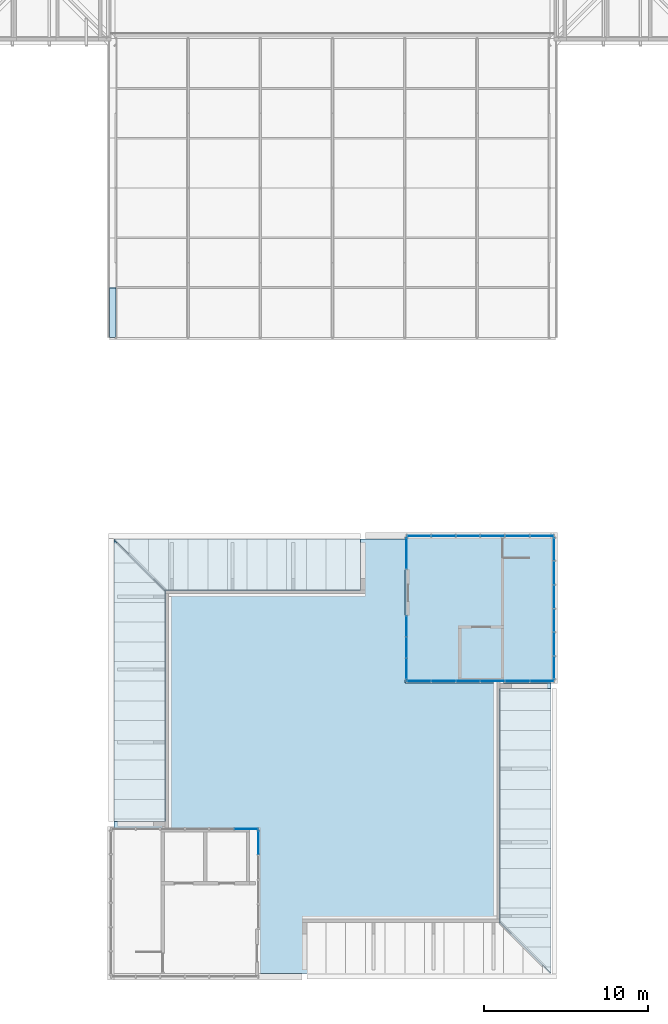
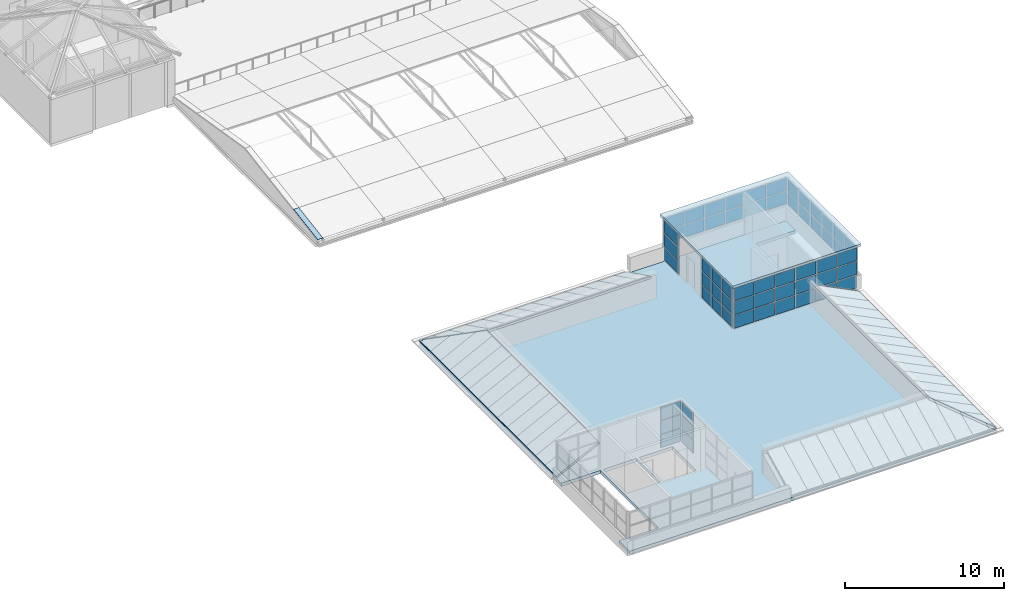
# One storey, part 40 of 69: 61 plates, 5 slabs, 7 elements without a shape of their own.
"""IFC4 building model written with IfcOpenShell, lengths in metres."""

from ifc_helpers import new_model, si_unit, direction, frame, origin, origin_2d, place, context, subcontext, project, spatial, polyline, rectangle, outline, extrude, material, layer, layer_set, type_object, element, aggregate, save


model = new_model("IFC4")

# Units and contexts
model_context = context("Model", 3, precision=1e-05, world=origin(), true_north=direction((0.0, 1.0)))
body_context = subcontext(model_context, "Body", "Model", "MODEL_VIEW")
ifc_project = project(units=[si_unit("LENGTHUNIT", "METRE"), si_unit("AREAUNIT", "SQUARE_METRE"), si_unit("VOLUMEUNIT", "CUBIC_METRE"), si_unit("PLANEANGLEUNIT", "RADIAN"), si_unit("MASSUNIT", "GRAM", prefix="KILO")], contexts=[model_context])

# Site, building, storey
site_placement = place(None, origin())
site = spatial("IfcSite", under=ifc_project, at=site_placement, CompositionType="ELEMENT")
building_placement = place(site_placement, origin())
building = spatial("IfcBuilding", under=site, at=building_placement, Name="Kallimachos Central Library", CompositionType="ELEMENT")
storey_placement = place(building_placement, frame((0.0, 0.0, 23.39990234375)))
storey = spatial("IfcBuildingStorey", under=building, at=storey_placement, Name="L05", CompositionType="ELEMENT", Elevation=23.39990234375)

# Slabs
ifc_material_1 = material(Name="Composite slab C30/37 on steel deck", Category="concrete")
ifc_layer_1 = layer(ifc_material_1, 0.25)
ifc_layer_set_1 = layer_set([ifc_layer_1], Name="Composite roof slab 250")
slab_type_1 = type_object("IfcSlabType", Name="Composite roof slab 250", PredefinedType="ROOF", material=ifc_layer_set_1)
slab_1_placement = place(storey_placement, frame((0.0, 0.0, -0.25)))
element("IfcSlab", 1, at=slab_1_placement, inside=storey, type_object=slab_type_1, Name="Tower roof slab", PredefinedType="ROOF", context=body_context, shape_type="SweptSolid", body=[
    extrude(outline(polyline([(101.300048828125, 18.199951171875), (74.699951171875, 18.199951171875), (74.699951171875, 19.553955078125), (77.550048828125, 19.553955078125), (77.550048828125, 26.800048828125), (74.699951171875, 26.800048828125), (74.699951171875, 44.64990234375), (101.300048828125, 44.64990234375), (101.300048828125, 43.446044921875), (98.449951171875, 43.446044921875), (98.449951171875, 36.199951171875), (101.300048828125, 36.199951171875), (101.300048828125, 18.199951171875)]), holes=[polyline([(77.75, 26.800048828125), (77.75, 23.800048828125), (80.14990234375, 23.800048828125), (80.14990234375, 26.800048828125), (77.75, 26.800048828125)]), polyline([(80.35009765625, 26.800048828125), (80.35009765625, 23.800048828125), (82.75, 23.800048828125), (82.75, 26.800048828125), (80.35009765625, 26.800048828125)]), polyline([(98.25, 39.199951171875), (95.85009765625, 39.199951171875), (95.85009765625, 36.199951171875), (98.25, 36.199951171875), (98.25, 39.199951171875)])]), origin(), (0.0, 0.0, 1.0), 0.25),
])
ifc_material_2 = material(Name="Composite slab C30/37 on steel deck", Category="concrete")
ifc_layer_2 = layer(ifc_material_2, 0.199951171875)
ifc_layer_set_2 = layer_set([ifc_layer_2], Name="Head house roof slab 200")
slab_type_2 = type_object("IfcSlabType", Name="Head house roof slab 200", PredefinedType="ROOF", material=ifc_layer_set_2)
slab_2_placement = place(storey_placement, frame((0.0, 0.0, 3.2001953125)))
element("IfcSlab", 2, at=slab_2_placement, inside=storey, type_object=slab_type_2, Name="North-east lift head roof", PredefinedType="ROOF", context=body_context, shape_type="SweptSolid", body=[
    extrude(outline(polyline([(92.39990234375, 35.89990234375), (101.699951171875, 35.89990234375), (101.699951171875, 45.050048828125), (92.39990234375, 45.050048828125), (92.39990234375, 35.89990234375)])), origin(), (0.0, 0.0, 1.0), 0.199951171875),
])

# Curtain wall, plates
ifc_material_3 = material(Name="Aluminium and laminated glass", Category="aluminium")
curtain_wall_type = type_object("IfcCurtainWallType", Name="Glazed lantern wall", PredefinedType="NOTDEFINED", material=ifc_material_3)
curtain_wall_1_placement = place(storey_placement, origin())
curtain_wall_1 = element("IfcCurtainWall", 3, at=curtain_wall_1_placement, inside=storey, type_object=curtain_wall_type, Name="V5-CWL-L05-003", PredefinedType="NOTDEFINED")
ifc_material_4 = material(Name="Laminated glass", Category="glass")
ifc_layer_3 = layer(ifc_material_4, 0.028076171875)
ifc_layer_set_3 = layer_set([ifc_layer_3], Name="Laminated glass panel 28")
plate_type_1 = type_object("IfcPlateType", Name="Laminated glass panel 28", PredefinedType="CURTAIN_PANEL", material=ifc_layer_set_3)
plate_1_placement = place(storey_placement, frame((82.735107421875, 27.0, 0.06005859375), z_axis=(0.0, 0.0, 1.0), x_axis=(1.0, 0.0, 0.0)))
plate_1 = element("IfcPlate", 4, at=plate_1_placement, type_object=plate_type_1, Name="CW4 panel 6.1", PredefinedType="CURTAIN_PANEL", context=body_context, shape_type="SweptSolid", body=[
    extrude(rectangle(XDim=1.409912109375, YDim=0.028076171875, at=origin_2d()), origin(), (0.0, 0.0, 1.0), 0.976806640625),
])
plate_2_placement = place(storey_placement, frame((82.735107421875, 27.0, 1.0966796875), z_axis=(0.0, 0.0, 1.0), x_axis=(1.0, 0.0, 0.0)))
plate_2 = element("IfcPlate", 5, at=plate_2_placement, type_object=plate_type_1, Name="CW4 panel 6.2", PredefinedType="CURTAIN_PANEL", context=body_context, shape_type="SweptSolid", body=[
    extrude(rectangle(XDim=1.409912109375, YDim=0.028076171875, at=origin_2d()), origin(), (0.0, 0.0, 1.0), 1.006591796875),
])
plate_3_placement = place(storey_placement, frame((82.735107421875, 27.0, 2.16357421875), z_axis=(0.0, 0.0, 1.0), x_axis=(1.0, 0.0, 0.0)))
plate_3 = element("IfcPlate", 6, at=plate_3_placement, type_object=plate_type_1, Name="CW4 panel 6.3", PredefinedType="CURTAIN_PANEL", context=body_context, shape_type="SweptSolid", body=[
    extrude(rectangle(XDim=1.409912109375, YDim=0.028076171875, at=origin_2d()), origin(), (0.0, 0.0, 1.0), 0.976806640625),
])
aggregate(curtain_wall_1, [plate_1, plate_2, plate_3])

curtain_wall_2_placement = place(storey_placement, origin())
curtain_wall_2 = element("IfcCurtainWall", 7, at=curtain_wall_2_placement, inside=storey, type_object=curtain_wall_type, Name="V5-CWL-L05-004", PredefinedType="NOTDEFINED")
plate_4_placement = place(storey_placement, frame((83.5, 26.152587890625, 0.06005859375), z_axis=(0.0, 0.0, 1.0), x_axis=(0.0, 1.0, 0.0)))
plate_4 = element("IfcPlate", 8, at=plate_4_placement, type_object=plate_type_1, Name="CW5 panel 4.1", PredefinedType="CURTAIN_PANEL", context=body_context, shape_type="SweptSolid", body=[
    extrude(rectangle(XDim=1.4150390625, YDim=0.028076171875, at=origin_2d()), origin(), (0.0, 0.0, 1.0), 0.976806640625),
])
plate_5_placement = place(storey_placement, frame((83.5, 26.152587890625, 1.0966796875), z_axis=(0.0, 0.0, 1.0), x_axis=(0.0, 1.0, 0.0)))
plate_5 = element("IfcPlate", 9, at=plate_5_placement, type_object=plate_type_1, Name="CW5 panel 4.2", PredefinedType="CURTAIN_PANEL", context=body_context, shape_type="SweptSolid", body=[
    extrude(rectangle(XDim=1.4150390625, YDim=0.028076171875, at=origin_2d()), origin(), (0.0, 0.0, 1.0), 1.006591796875),
])
plate_6_placement = place(storey_placement, frame((83.5, 26.152587890625, 2.16357421875), z_axis=(0.0, 0.0, 1.0), x_axis=(0.0, 1.0, 0.0)))
plate_6 = element("IfcPlate", 10, at=plate_6_placement, type_object=plate_type_1, Name="CW5 panel 4.3", PredefinedType="CURTAIN_PANEL", context=body_context, shape_type="SweptSolid", body=[
    extrude(rectangle(XDim=1.4150390625, YDim=0.028076171875, at=origin_2d()), origin(), (0.0, 0.0, 1.0), 0.976806640625),
])
aggregate(curtain_wall_2, [plate_4, plate_5, plate_6])

curtain_wall_3_placement = place(storey_placement, origin())
curtain_wall_3 = element("IfcCurtainWall", 11, at=curtain_wall_3_placement, inside=storey, type_object=curtain_wall_type, Name="V5-CWL-L05-005", PredefinedType="NOTDEFINED")
plate_7_placement = place(storey_placement, frame((93.264892578125, 44.85009765625, 1.16015625), z_axis=(0.0, 0.0, 1.0), x_axis=(1.0, 0.0, 0.0)))
plate_7 = element("IfcPlate", 12, at=plate_7_placement, type_object=plate_type_1, Name="CW6 panel 1.1", PredefinedType="CURTAIN_PANEL", context=body_context, shape_type="SweptSolid", body=[
    extrude(rectangle(XDim=1.409912109375, YDim=0.028076171875, at=origin_2d()), origin(), (0.0, 0.0, 1.0), 0.9599609375),
])
plate_8_placement = place(storey_placement, frame((93.264892578125, 44.85009765625, 2.18017578125), z_axis=(0.0, 0.0, 1.0), x_axis=(1.0, 0.0, 0.0)))
plate_8 = element("IfcPlate", 13, at=plate_8_placement, type_object=plate_type_1, Name="CW6 panel 1.2", PredefinedType="CURTAIN_PANEL", context=body_context, shape_type="SweptSolid", body=[
    extrude(rectangle(XDim=1.409912109375, YDim=0.028076171875, at=origin_2d()), origin(), (0.0, 0.0, 1.0), 0.9599609375),
])
plate_9_placement = place(storey_placement, frame((94.75, 44.85009765625, 1.16015625), z_axis=(0.0, 0.0, 1.0), x_axis=(1.0, 0.0, 0.0)))
plate_9 = element("IfcPlate", 14, at=plate_9_placement, type_object=plate_type_1, Name="CW6 panel 2.1", PredefinedType="CURTAIN_PANEL", context=body_context, shape_type="SweptSolid", body=[
    extrude(rectangle(XDim=1.43994140625, YDim=0.028076171875, at=origin_2d()), origin(), (0.0, 0.0, 1.0), 0.9599609375),
])
plate_10_placement = place(storey_placement, frame((94.75, 44.85009765625, 2.18017578125), z_axis=(0.0, 0.0, 1.0), x_axis=(1.0, 0.0, 0.0)))
plate_10 = element("IfcPlate", 15, at=plate_10_placement, type_object=plate_type_1, Name="CW6 panel 2.2", PredefinedType="CURTAIN_PANEL", context=body_context, shape_type="SweptSolid", body=[
    extrude(rectangle(XDim=1.43994140625, YDim=0.028076171875, at=origin_2d()), origin(), (0.0, 0.0, 1.0), 0.9599609375),
])
plate_11_placement = place(storey_placement, frame((96.25, 44.85009765625, 1.16015625), z_axis=(0.0, 0.0, 1.0), x_axis=(1.0, 0.0, 0.0)))
plate_11 = element("IfcPlate", 16, at=plate_11_placement, type_object=plate_type_1, Name="CW6 panel 3.1", PredefinedType="CURTAIN_PANEL", context=body_context, shape_type="SweptSolid", body=[
    extrude(rectangle(XDim=1.43994140625, YDim=0.028076171875, at=origin_2d()), origin(), (0.0, 0.0, 1.0), 0.9599609375),
])
plate_12_placement = place(storey_placement, frame((96.25, 44.85009765625, 2.18017578125), z_axis=(0.0, 0.0, 1.0), x_axis=(1.0, 0.0, 0.0)))
plate_12 = element("IfcPlate", 17, at=plate_12_placement, type_object=plate_type_1, Name="CW6 panel 3.2", PredefinedType="CURTAIN_PANEL", context=body_context, shape_type="SweptSolid", body=[
    extrude(rectangle(XDim=1.43994140625, YDim=0.028076171875, at=origin_2d()), origin(), (0.0, 0.0, 1.0), 0.9599609375),
])
plate_13_placement = place(storey_placement, frame((97.75, 44.85009765625, 1.16015625), z_axis=(0.0, 0.0, 1.0), x_axis=(1.0, 0.0, 0.0)))
plate_13 = element("IfcPlate", 18, at=plate_13_placement, type_object=plate_type_1, Name="CW6 panel 4.1", PredefinedType="CURTAIN_PANEL", context=body_context, shape_type="SweptSolid", body=[
    extrude(rectangle(XDim=1.43994140625, YDim=0.028076171875, at=origin_2d()), origin(), (0.0, 0.0, 1.0), 0.9599609375),
])
plate_14_placement = place(storey_placement, frame((97.75, 44.85009765625, 2.18017578125), z_axis=(0.0, 0.0, 1.0), x_axis=(1.0, 0.0, 0.0)))
plate_14 = element("IfcPlate", 19, at=plate_14_placement, type_object=plate_type_1, Name="CW6 panel 4.2", PredefinedType="CURTAIN_PANEL", context=body_context, shape_type="SweptSolid", body=[
    extrude(rectangle(XDim=1.43994140625, YDim=0.028076171875, at=origin_2d()), origin(), (0.0, 0.0, 1.0), 0.9599609375),
])
plate_15_placement = place(storey_placement, frame((99.25, 44.85009765625, 1.16015625), z_axis=(0.0, 0.0, 1.0), x_axis=(1.0, 0.0, 0.0)))
plate_15 = element("IfcPlate", 20, at=plate_15_placement, type_object=plate_type_1, Name="CW6 panel 5.1", PredefinedType="CURTAIN_PANEL", context=body_context, shape_type="SweptSolid", body=[
    extrude(rectangle(XDim=1.43994140625, YDim=0.028076171875, at=origin_2d()), origin(), (0.0, 0.0, 1.0), 0.9599609375),
])
plate_16_placement = place(storey_placement, frame((99.25, 44.85009765625, 2.18017578125), z_axis=(0.0, 0.0, 1.0), x_axis=(1.0, 0.0, 0.0)))
plate_16 = element("IfcPlate", 21, at=plate_16_placement, type_object=plate_type_1, Name="CW6 panel 5.2", PredefinedType="CURTAIN_PANEL", context=body_context, shape_type="SweptSolid", body=[
    extrude(rectangle(XDim=1.43994140625, YDim=0.028076171875, at=origin_2d()), origin(), (0.0, 0.0, 1.0), 0.9599609375),
])
plate_17_placement = place(storey_placement, frame((100.735107421875, 44.85009765625, 1.16015625), z_axis=(0.0, 0.0, 1.0), x_axis=(1.0, 0.0, 0.0)))
plate_17 = element("IfcPlate", 22, at=plate_17_placement, type_object=plate_type_1, Name="CW6 panel 6.1", PredefinedType="CURTAIN_PANEL", context=body_context, shape_type="SweptSolid", body=[
    extrude(rectangle(XDim=1.409912109375, YDim=0.028076171875, at=origin_2d()), origin(), (0.0, 0.0, 1.0), 0.9599609375),
])
plate_18_placement = place(storey_placement, frame((100.735107421875, 44.85009765625, 2.18017578125), z_axis=(0.0, 0.0, 1.0), x_axis=(1.0, 0.0, 0.0)))
plate_18 = element("IfcPlate", 23, at=plate_18_placement, type_object=plate_type_1, Name="CW6 panel 6.2", PredefinedType="CURTAIN_PANEL", context=body_context, shape_type="SweptSolid", body=[
    extrude(rectangle(XDim=1.409912109375, YDim=0.028076171875, at=origin_2d()), origin(), (0.0, 0.0, 1.0), 0.9599609375),
])
aggregate(curtain_wall_3, [plate_7, plate_8, plate_9, plate_10, plate_11, plate_12, plate_13, plate_14, plate_15, plate_16, plate_17, plate_18])

curtain_wall_4_placement = place(storey_placement, origin())
curtain_wall_4 = element("IfcCurtainWall", 24, at=curtain_wall_4_placement, inside=storey, type_object=curtain_wall_type, Name="V5-CWL-L05-006", PredefinedType="NOTDEFINED")
plate_19_placement = place(storey_placement, frame((101.5, 36.819091796875, 1.16015625), z_axis=(0.0, 0.0, 1.0), x_axis=(0.0, 1.0, 0.0)))
plate_19 = element("IfcPlate", 25, at=plate_19_placement, type_object=plate_type_1, Name="CW7 panel 1.1", PredefinedType="CURTAIN_PANEL", context=body_context, shape_type="SweptSolid", body=[
    extrude(rectangle(XDim=1.3583984375, YDim=0.028076171875, at=origin_2d()), origin(), (0.0, 0.0, 1.0), 0.9599609375),
])
plate_20_placement = place(storey_placement, frame((101.5, 36.819091796875, 2.18017578125), z_axis=(0.0, 0.0, 1.0), x_axis=(0.0, 1.0, 0.0)))
plate_20 = element("IfcPlate", 26, at=plate_20_placement, type_object=plate_type_1, Name="CW7 panel 1.2", PredefinedType="CURTAIN_PANEL", context=body_context, shape_type="SweptSolid", body=[
    extrude(rectangle(XDim=1.3583984375, YDim=0.028076171875, at=origin_2d()), origin(), (0.0, 0.0, 1.0), 0.9599609375),
])
plate_21_placement = place(storey_placement, frame((101.5, 38.25244140625, 1.16015625), z_axis=(0.0, 0.0, 1.0), x_axis=(0.0, 1.0, 0.0)))
plate_21 = element("IfcPlate", 27, at=plate_21_placement, type_object=plate_type_1, Name="CW7 panel 2.1", PredefinedType="CURTAIN_PANEL", context=body_context, shape_type="SweptSolid", body=[
    extrude(rectangle(XDim=1.388427734375, YDim=0.028076171875, at=origin_2d()), origin(), (0.0, 0.0, 1.0), 0.9599609375),
])
plate_22_placement = place(storey_placement, frame((101.5, 38.25244140625, 2.18017578125), z_axis=(0.0, 0.0, 1.0), x_axis=(0.0, 1.0, 0.0)))
plate_22 = element("IfcPlate", 28, at=plate_22_placement, type_object=plate_type_1, Name="CW7 panel 2.2", PredefinedType="CURTAIN_PANEL", context=body_context, shape_type="SweptSolid", body=[
    extrude(rectangle(XDim=1.388427734375, YDim=0.028076171875, at=origin_2d()), origin(), (0.0, 0.0, 1.0), 0.9599609375),
])
plate_23_placement = place(storey_placement, frame((101.5, 39.700927734375, 1.16015625), z_axis=(0.0, 0.0, 1.0), x_axis=(0.0, 1.0, 0.0)))
plate_23 = element("IfcPlate", 29, at=plate_23_placement, type_object=plate_type_1, Name="CW7 panel 3.1", PredefinedType="CURTAIN_PANEL", context=body_context, shape_type="SweptSolid", body=[
    extrude(rectangle(XDim=1.388427734375, YDim=0.028076171875, at=origin_2d()), origin(), (0.0, 0.0, 1.0), 0.9599609375),
])
plate_24_placement = place(storey_placement, frame((101.5, 39.700927734375, 2.18017578125), z_axis=(0.0, 0.0, 1.0), x_axis=(0.0, 1.0, 0.0)))
plate_24 = element("IfcPlate", 30, at=plate_24_placement, type_object=plate_type_1, Name="CW7 panel 3.2", PredefinedType="CURTAIN_PANEL", context=body_context, shape_type="SweptSolid", body=[
    extrude(rectangle(XDim=1.388427734375, YDim=0.028076171875, at=origin_2d()), origin(), (0.0, 0.0, 1.0), 0.9599609375),
])
plate_25_placement = place(storey_placement, frame((101.5, 41.149169921875, 1.16015625), z_axis=(0.0, 0.0, 1.0), x_axis=(0.0, 1.0, 0.0)))
plate_25 = element("IfcPlate", 31, at=plate_25_placement, type_object=plate_type_1, Name="CW7 panel 4.1", PredefinedType="CURTAIN_PANEL", context=body_context, shape_type="SweptSolid", body=[
    extrude(rectangle(XDim=1.388427734375, YDim=0.028076171875, at=origin_2d()), origin(), (0.0, 0.0, 1.0), 0.9599609375),
])
plate_26_placement = place(storey_placement, frame((101.5, 41.149169921875, 2.18017578125), z_axis=(0.0, 0.0, 1.0), x_axis=(0.0, 1.0, 0.0)))
plate_26 = element("IfcPlate", 32, at=plate_26_placement, type_object=plate_type_1, Name="CW7 panel 4.2", PredefinedType="CURTAIN_PANEL", context=body_context, shape_type="SweptSolid", body=[
    extrude(rectangle(XDim=1.388427734375, YDim=0.028076171875, at=origin_2d()), origin(), (0.0, 0.0, 1.0), 0.9599609375),
])
plate_27_placement = place(storey_placement, frame((101.5, 42.597412109375, 1.16015625), z_axis=(0.0, 0.0, 1.0), x_axis=(0.0, 1.0, 0.0)))
plate_27 = element("IfcPlate", 33, at=plate_27_placement, type_object=plate_type_1, Name="CW7 panel 5.1", PredefinedType="CURTAIN_PANEL", context=body_context, shape_type="SweptSolid", body=[
    extrude(rectangle(XDim=1.388427734375, YDim=0.028076171875, at=origin_2d()), origin(), (0.0, 0.0, 1.0), 0.9599609375),
])
plate_28_placement = place(storey_placement, frame((101.5, 42.597412109375, 2.18017578125), z_axis=(0.0, 0.0, 1.0), x_axis=(0.0, 1.0, 0.0)))
plate_28 = element("IfcPlate", 34, at=plate_28_placement, type_object=plate_type_1, Name="CW7 panel 5.2", PredefinedType="CURTAIN_PANEL", context=body_context, shape_type="SweptSolid", body=[
    extrude(rectangle(XDim=1.388427734375, YDim=0.028076171875, at=origin_2d()), origin(), (0.0, 0.0, 1.0), 0.9599609375),
])
plate_29_placement = place(storey_placement, frame((101.5, 44.03076171875, 1.16015625), z_axis=(0.0, 0.0, 1.0), x_axis=(0.0, 1.0, 0.0)))
plate_29 = element("IfcPlate", 35, at=plate_29_placement, type_object=plate_type_1, Name="CW7 panel 6.1", PredefinedType="CURTAIN_PANEL", context=body_context, shape_type="SweptSolid", body=[
    extrude(rectangle(XDim=1.3583984375, YDim=0.028076171875, at=origin_2d()), origin(), (0.0, 0.0, 1.0), 0.9599609375),
])
plate_30_placement = place(storey_placement, frame((101.5, 44.03076171875, 2.18017578125), z_axis=(0.0, 0.0, 1.0), x_axis=(0.0, 1.0, 0.0)))
plate_30 = element("IfcPlate", 36, at=plate_30_placement, type_object=plate_type_1, Name="CW7 panel 6.2", PredefinedType="CURTAIN_PANEL", context=body_context, shape_type="SweptSolid", body=[
    extrude(rectangle(XDim=1.3583984375, YDim=0.028076171875, at=origin_2d()), origin(), (0.0, 0.0, 1.0), 0.9599609375),
])
aggregate(curtain_wall_4, [plate_19, plate_20, plate_21, plate_22, plate_23, plate_24, plate_25, plate_26, plate_27, plate_28, plate_29, plate_30])

curtain_wall_5_placement = place(storey_placement, origin())
curtain_wall_5 = element("IfcCurtainWall", 37, at=curtain_wall_5_placement, inside=storey, type_object=curtain_wall_type, Name="V5-CWL-L05-007", PredefinedType="NOTDEFINED")
plate_31_placement = place(storey_placement, frame((93.264892578125, 36.0, 0.06005859375), z_axis=(0.0, 0.0, 1.0), x_axis=(1.0, 0.0, 0.0)))
plate_31 = element("IfcPlate", 38, at=plate_31_placement, type_object=plate_type_1, Name="CW8 panel 1.1", PredefinedType="CURTAIN_PANEL", context=body_context, shape_type="SweptSolid", body=[
    extrude(rectangle(XDim=1.409912109375, YDim=0.028076171875, at=origin_2d()), origin(), (0.0, 0.0, 1.0), 0.976806640625),
])
plate_32_placement = place(storey_placement, frame((93.264892578125, 36.0, 1.0966796875), z_axis=(0.0, 0.0, 1.0), x_axis=(1.0, 0.0, 0.0)))
plate_32 = element("IfcPlate", 39, at=plate_32_placement, type_object=plate_type_1, Name="CW8 panel 1.2", PredefinedType="CURTAIN_PANEL", context=body_context, shape_type="SweptSolid", body=[
    extrude(rectangle(XDim=1.409912109375, YDim=0.028076171875, at=origin_2d()), origin(), (0.0, 0.0, 1.0), 1.006591796875),
])
plate_33_placement = place(storey_placement, frame((93.264892578125, 36.0, 2.16357421875), z_axis=(0.0, 0.0, 1.0), x_axis=(1.0, 0.0, 0.0)))
plate_33 = element("IfcPlate", 40, at=plate_33_placement, type_object=plate_type_1, Name="CW8 panel 1.3", PredefinedType="CURTAIN_PANEL", context=body_context, shape_type="SweptSolid", body=[
    extrude(rectangle(XDim=1.409912109375, YDim=0.028076171875, at=origin_2d()), origin(), (0.0, 0.0, 1.0), 0.976806640625),
])
plate_34_placement = place(storey_placement, frame((94.75, 36.0, 0.06005859375), z_axis=(0.0, 0.0, 1.0), x_axis=(1.0, 0.0, 0.0)))
plate_34 = element("IfcPlate", 41, at=plate_34_placement, type_object=plate_type_1, Name="CW8 panel 2.1", PredefinedType="CURTAIN_PANEL", context=body_context, shape_type="SweptSolid", body=[
    extrude(rectangle(XDim=1.43994140625, YDim=0.028076171875, at=origin_2d()), origin(), (0.0, 0.0, 1.0), 0.976806640625),
])
plate_35_placement = place(storey_placement, frame((94.75, 36.0, 1.0966796875), z_axis=(0.0, 0.0, 1.0), x_axis=(1.0, 0.0, 0.0)))
plate_35 = element("IfcPlate", 42, at=plate_35_placement, type_object=plate_type_1, Name="CW8 panel 2.2", PredefinedType="CURTAIN_PANEL", context=body_context, shape_type="SweptSolid", body=[
    extrude(rectangle(XDim=1.43994140625, YDim=0.028076171875, at=origin_2d()), origin(), (0.0, 0.0, 1.0), 1.006591796875),
])
plate_36_placement = place(storey_placement, frame((94.75, 36.0, 2.16357421875), z_axis=(0.0, 0.0, 1.0), x_axis=(1.0, 0.0, 0.0)))
plate_36 = element("IfcPlate", 43, at=plate_36_placement, type_object=plate_type_1, Name="CW8 panel 2.3", PredefinedType="CURTAIN_PANEL", context=body_context, shape_type="SweptSolid", body=[
    extrude(rectangle(XDim=1.43994140625, YDim=0.028076171875, at=origin_2d()), origin(), (0.0, 0.0, 1.0), 0.976806640625),
])
plate_37_placement = place(storey_placement, frame((96.25, 36.0, 0.06005859375), z_axis=(0.0, 0.0, 1.0), x_axis=(1.0, 0.0, 0.0)))
plate_37 = element("IfcPlate", 44, at=plate_37_placement, type_object=plate_type_1, Name="CW8 panel 3.1", PredefinedType="CURTAIN_PANEL", context=body_context, shape_type="SweptSolid", body=[
    extrude(rectangle(XDim=1.43994140625, YDim=0.028076171875, at=origin_2d()), origin(), (0.0, 0.0, 1.0), 0.976806640625),
])
plate_38_placement = place(storey_placement, frame((96.25, 36.0, 1.0966796875), z_axis=(0.0, 0.0, 1.0), x_axis=(1.0, 0.0, 0.0)))
plate_38 = element("IfcPlate", 45, at=plate_38_placement, type_object=plate_type_1, Name="CW8 panel 3.2", PredefinedType="CURTAIN_PANEL", context=body_context, shape_type="SweptSolid", body=[
    extrude(rectangle(XDim=1.43994140625, YDim=0.028076171875, at=origin_2d()), origin(), (0.0, 0.0, 1.0), 1.006591796875),
])
plate_39_placement = place(storey_placement, frame((96.25, 36.0, 2.16357421875), z_axis=(0.0, 0.0, 1.0), x_axis=(1.0, 0.0, 0.0)))
plate_39 = element("IfcPlate", 46, at=plate_39_placement, type_object=plate_type_1, Name="CW8 panel 3.3", PredefinedType="CURTAIN_PANEL", context=body_context, shape_type="SweptSolid", body=[
    extrude(rectangle(XDim=1.43994140625, YDim=0.028076171875, at=origin_2d()), origin(), (0.0, 0.0, 1.0), 0.976806640625),
])
plate_40_placement = place(storey_placement, frame((97.75, 36.0, 0.06005859375), z_axis=(0.0, 0.0, 1.0), x_axis=(1.0, 0.0, 0.0)))
plate_40 = element("IfcPlate", 47, at=plate_40_placement, type_object=plate_type_1, Name="CW8 panel 4.1", PredefinedType="CURTAIN_PANEL", context=body_context, shape_type="SweptSolid", body=[
    extrude(rectangle(XDim=1.43994140625, YDim=0.028076171875, at=origin_2d()), origin(), (0.0, 0.0, 1.0), 0.976806640625),
])
plate_41_placement = place(storey_placement, frame((97.75, 36.0, 1.0966796875), z_axis=(0.0, 0.0, 1.0), x_axis=(1.0, 0.0, 0.0)))
plate_41 = element("IfcPlate", 48, at=plate_41_placement, type_object=plate_type_1, Name="CW8 panel 4.2", PredefinedType="CURTAIN_PANEL", context=body_context, shape_type="SweptSolid", body=[
    extrude(rectangle(XDim=1.43994140625, YDim=0.028076171875, at=origin_2d()), origin(), (0.0, 0.0, 1.0), 1.006591796875),
])
plate_42_placement = place(storey_placement, frame((97.75, 36.0, 2.16357421875), z_axis=(0.0, 0.0, 1.0), x_axis=(1.0, 0.0, 0.0)))
plate_42 = element("IfcPlate", 49, at=plate_42_placement, type_object=plate_type_1, Name="CW8 panel 4.3", PredefinedType="CURTAIN_PANEL", context=body_context, shape_type="SweptSolid", body=[
    extrude(rectangle(XDim=1.43994140625, YDim=0.028076171875, at=origin_2d()), origin(), (0.0, 0.0, 1.0), 0.976806640625),
])
plate_43_placement = place(storey_placement, frame((99.25, 36.0, 0.06005859375), z_axis=(0.0, 0.0, 1.0), x_axis=(1.0, 0.0, 0.0)))
plate_43 = element("IfcPlate", 50, at=plate_43_placement, type_object=plate_type_1, Name="CW8 panel 5.1", PredefinedType="CURTAIN_PANEL", context=body_context, shape_type="SweptSolid", body=[
    extrude(rectangle(XDim=1.43994140625, YDim=0.028076171875, at=origin_2d()), origin(), (0.0, 0.0, 1.0), 0.976806640625),
])
plate_44_placement = place(storey_placement, frame((99.25, 36.0, 1.0966796875), z_axis=(0.0, 0.0, 1.0), x_axis=(1.0, 0.0, 0.0)))
plate_44 = element("IfcPlate", 51, at=plate_44_placement, type_object=plate_type_1, Name="CW8 panel 5.2", PredefinedType="CURTAIN_PANEL", context=body_context, shape_type="SweptSolid", body=[
    extrude(rectangle(XDim=1.43994140625, YDim=0.028076171875, at=origin_2d()), origin(), (0.0, 0.0, 1.0), 1.006591796875),
])
plate_45_placement = place(storey_placement, frame((99.25, 36.0, 2.16357421875), z_axis=(0.0, 0.0, 1.0), x_axis=(1.0, 0.0, 0.0)))
plate_45 = element("IfcPlate", 52, at=plate_45_placement, type_object=plate_type_1, Name="CW8 panel 5.3", PredefinedType="CURTAIN_PANEL", context=body_context, shape_type="SweptSolid", body=[
    extrude(rectangle(XDim=1.43994140625, YDim=0.028076171875, at=origin_2d()), origin(), (0.0, 0.0, 1.0), 0.976806640625),
])
plate_46_placement = place(storey_placement, frame((100.735107421875, 36.0, 0.06005859375), z_axis=(0.0, 0.0, 1.0), x_axis=(1.0, 0.0, 0.0)))
plate_46 = element("IfcPlate", 53, at=plate_46_placement, type_object=plate_type_1, Name="CW8 panel 6.1", PredefinedType="CURTAIN_PANEL", context=body_context, shape_type="SweptSolid", body=[
    extrude(rectangle(XDim=1.409912109375, YDim=0.028076171875, at=origin_2d()), origin(), (0.0, 0.0, 1.0), 0.976806640625),
])
plate_47_placement = place(storey_placement, frame((100.735107421875, 36.0, 1.0966796875), z_axis=(0.0, 0.0, 1.0), x_axis=(1.0, 0.0, 0.0)))
plate_47 = element("IfcPlate", 54, at=plate_47_placement, type_object=plate_type_1, Name="CW8 panel 6.2", PredefinedType="CURTAIN_PANEL", context=body_context, shape_type="SweptSolid", body=[
    extrude(rectangle(XDim=1.409912109375, YDim=0.028076171875, at=origin_2d()), origin(), (0.0, 0.0, 1.0), 1.006591796875),
])
plate_48_placement = place(storey_placement, frame((100.735107421875, 36.0, 2.16357421875), z_axis=(0.0, 0.0, 1.0), x_axis=(1.0, 0.0, 0.0)))
plate_48 = element("IfcPlate", 55, at=plate_48_placement, type_object=plate_type_1, Name="CW8 panel 6.3", PredefinedType="CURTAIN_PANEL", context=body_context, shape_type="SweptSolid", body=[
    extrude(rectangle(XDim=1.409912109375, YDim=0.028076171875, at=origin_2d()), origin(), (0.0, 0.0, 1.0), 0.976806640625),
])
aggregate(curtain_wall_5, [plate_31, plate_32, plate_33, plate_34, plate_35, plate_36, plate_37, plate_38, plate_39, plate_40, plate_41, plate_42, plate_43, plate_44, plate_45, plate_46, plate_47, plate_48])

curtain_wall_6_placement = place(storey_placement, origin())
curtain_wall_6 = element("IfcCurtainWall", 56, at=curtain_wall_6_placement, inside=storey, type_object=curtain_wall_type, Name="V5-CWL-L05-008", PredefinedType="NOTDEFINED")
plate_49_placement = place(storey_placement, frame((92.5, 36.748291015625, 0.06005859375), z_axis=(0.0, 0.0, 1.0), x_axis=(0.0, 1.0, 0.0)))
plate_49 = element("IfcPlate", 57, at=plate_49_placement, type_object=plate_type_1, Name="CW9 panel 1.1", PredefinedType="CURTAIN_PANEL", context=body_context, shape_type="SweptSolid", body=[
    extrude(rectangle(XDim=1.216552734375, YDim=0.028076171875, at=origin_2d()), origin(), (0.0, 0.0, 1.0), 0.976806640625),
])
plate_50_placement = place(storey_placement, frame((92.5, 36.748291015625, 1.0966796875), z_axis=(0.0, 0.0, 1.0), x_axis=(0.0, 1.0, 0.0)))
plate_50 = element("IfcPlate", 58, at=plate_50_placement, type_object=plate_type_1, Name="CW9 panel 1.2", PredefinedType="CURTAIN_PANEL", context=body_context, shape_type="SweptSolid", body=[
    extrude(rectangle(XDim=1.216552734375, YDim=0.028076171875, at=origin_2d()), origin(), (0.0, 0.0, 1.0), 1.006591796875),
])
plate_51_placement = place(storey_placement, frame((92.5, 36.748291015625, 2.16357421875), z_axis=(0.0, 0.0, 1.0), x_axis=(0.0, 1.0, 0.0)))
plate_51 = element("IfcPlate", 59, at=plate_51_placement, type_object=plate_type_1, Name="CW9 panel 1.3", PredefinedType="CURTAIN_PANEL", context=body_context, shape_type="SweptSolid", body=[
    extrude(rectangle(XDim=1.216552734375, YDim=0.028076171875, at=origin_2d()), origin(), (0.0, 0.0, 1.0), 0.976806640625),
])
plate_52_placement = place(storey_placement, frame((92.5, 38.0400390625, 0.06005859375), z_axis=(0.0, 0.0, 1.0), x_axis=(0.0, 1.0, 0.0)))
plate_52 = element("IfcPlate", 60, at=plate_52_placement, type_object=plate_type_1, Name="CW9 panel 2.1", PredefinedType="CURTAIN_PANEL", context=body_context, shape_type="SweptSolid", body=[
    extrude(rectangle(XDim=1.24658203125, YDim=0.028076171875, at=origin_2d()), origin(), (0.0, 0.0, 1.0), 0.976806640625),
])
plate_53_placement = place(storey_placement, frame((92.5, 38.0400390625, 1.0966796875), z_axis=(0.0, 0.0, 1.0), x_axis=(0.0, 1.0, 0.0)))
plate_53 = element("IfcPlate", 61, at=plate_53_placement, type_object=plate_type_1, Name="CW9 panel 2.2", PredefinedType="CURTAIN_PANEL", context=body_context, shape_type="SweptSolid", body=[
    extrude(rectangle(XDim=1.24658203125, YDim=0.028076171875, at=origin_2d()), origin(), (0.0, 0.0, 1.0), 1.006591796875),
])
plate_54_placement = place(storey_placement, frame((92.5, 38.0400390625, 2.16357421875), z_axis=(0.0, 0.0, 1.0), x_axis=(0.0, 1.0, 0.0)))
plate_54 = element("IfcPlate", 62, at=plate_54_placement, type_object=plate_type_1, Name="CW9 panel 2.3", PredefinedType="CURTAIN_PANEL", context=body_context, shape_type="SweptSolid", body=[
    extrude(rectangle(XDim=1.24658203125, YDim=0.028076171875, at=origin_2d()), origin(), (0.0, 0.0, 1.0), 0.976806640625),
])
plate_55_placement = place(storey_placement, frame((92.5, 39.331787109375, 0.06005859375), z_axis=(0.0, 0.0, 1.0), x_axis=(0.0, 1.0, 0.0)))
plate_55 = element("IfcPlate", 63, at=plate_55_placement, type_object=plate_type_1, Name="CW9 panel 3.1", PredefinedType="CURTAIN_PANEL", context=body_context, shape_type="SweptSolid", body=[
    extrude(rectangle(XDim=1.216552734375, YDim=0.028076171875, at=origin_2d()), origin(), (0.0, 0.0, 1.0), 0.976806640625),
])
plate_56_placement = place(storey_placement, frame((92.5, 39.331787109375, 1.0966796875), z_axis=(0.0, 0.0, 1.0), x_axis=(0.0, 1.0, 0.0)))
plate_56 = element("IfcPlate", 64, at=plate_56_placement, type_object=plate_type_1, Name="CW9 panel 3.2", PredefinedType="CURTAIN_PANEL", context=body_context, shape_type="SweptSolid", body=[
    extrude(rectangle(XDim=1.216552734375, YDim=0.028076171875, at=origin_2d()), origin(), (0.0, 0.0, 1.0), 1.006591796875),
])
plate_57_placement = place(storey_placement, frame((92.5, 39.331787109375, 2.16357421875), z_axis=(0.0, 0.0, 1.0), x_axis=(0.0, 1.0, 0.0)))
plate_57 = element("IfcPlate", 65, at=plate_57_placement, type_object=plate_type_1, Name="CW9 panel 3.3", PredefinedType="CURTAIN_PANEL", context=body_context, shape_type="SweptSolid", body=[
    extrude(rectangle(XDim=1.216552734375, YDim=0.028076171875, at=origin_2d()), origin(), (0.0, 0.0, 1.0), 0.976806640625),
])
aggregate(curtain_wall_6, [plate_49, plate_50, plate_51, plate_52, plate_53, plate_54, plate_55, plate_56, plate_57])

curtain_wall_7_placement = place(storey_placement, origin())
curtain_wall_7 = element("IfcCurtainWall", 66, at=curtain_wall_7_placement, inside=storey, type_object=curtain_wall_type, Name="V5-CWL-L05-009", PredefinedType="NOTDEFINED")
plate_58_placement = place(storey_placement, frame((92.5, 43.784912109375, 0.06005859375), z_axis=(0.0, 0.0, 1.0), x_axis=(0.0, 1.0, 0.0)))
plate_58 = element("IfcPlate", 67, at=plate_58_placement, type_object=plate_type_1, Name="CW10 panel 1.1", PredefinedType="CURTAIN_PANEL", context=body_context, shape_type="SweptSolid", body=[
    extrude(rectangle(XDim=1.85009765625, YDim=0.028076171875, at=origin_2d()), origin(), (0.0, 0.0, 1.0), 0.976806640625),
])
plate_59_placement = place(storey_placement, frame((92.5, 43.784912109375, 1.0966796875), z_axis=(0.0, 0.0, 1.0), x_axis=(0.0, 1.0, 0.0)))
plate_59 = element("IfcPlate", 68, at=plate_59_placement, type_object=plate_type_1, Name="CW10 panel 1.2", PredefinedType="CURTAIN_PANEL", context=body_context, shape_type="SweptSolid", body=[
    extrude(rectangle(XDim=1.85009765625, YDim=0.028076171875, at=origin_2d()), origin(), (0.0, 0.0, 1.0), 1.006591796875),
])
plate_60_placement = place(storey_placement, frame((92.5, 43.784912109375, 2.16357421875), z_axis=(0.0, 0.0, 1.0), x_axis=(0.0, 1.0, 0.0)))
plate_60 = element("IfcPlate", 69, at=plate_60_placement, type_object=plate_type_1, Name="CW10 panel 1.3", PredefinedType="CURTAIN_PANEL", context=body_context, shape_type="SweptSolid", body=[
    extrude(rectangle(XDim=1.85009765625, YDim=0.028076171875, at=origin_2d()), origin(), (0.0, 0.0, 1.0), 0.976806640625),
])
aggregate(curtain_wall_7, [plate_58, plate_59, plate_60])

# Slabs
ifc_material_5 = material(Name="Reinforced concrete C30/37", Category="concrete")
ifc_layer_4 = layer(ifc_material_5, 0.14990234375)
ifc_layer_set_4 = layer_set([ifc_layer_4], Name="Roof ring slab 150")
slab_type_3 = type_object("IfcSlabType", Name="Roof ring slab 150", PredefinedType="ROOF", material=ifc_layer_set_4)
slab_3_placement = place(storey_placement, frame((101.300048828125, 18.199951171875, 0.150146484375), z_axis=(0.4472135955, 0.0, 0.894427191), x_axis=(0.0, 1.0, 0.0)))
element("IfcSlab", 70, at=slab_3_placement, inside=storey, type_object=slab_type_3, Name="Roof ring East", PredefinedType="ROOF", context=body_context, shape_type="SweptSolid", body=[
    extrude(outline(polyline([(0.0, 0.0), (17.35009765625, 0.0), (17.35009765625, 3.4660145481313878), (3.10009765625, 3.4660145481313878), (0.0, 0.0)])), origin(), (0.0, 0.0, -1.0), 0.14990234375),
])
slab_4_placement = place(storey_placement, frame((74.699951171875, 44.64990234375, 0.150146484375), z_axis=(0.0, 0.447241772425, 0.894413101982), x_axis=(1.0, 0.0, 0.0)))
element("IfcSlab", 71, at=slab_4_placement, inside=storey, type_object=slab_type_3, Name="Roof ring North", PredefinedType="ROOF", context=body_context, shape_type="SweptSolid", body=[
    extrude(outline(polyline([(0.0, 0.0), (15.0, 0.0), (15.0, -3.4657961838377567), (3.10009765625, -3.4657961838377567), (0.0, 0.0)])), origin(), (0.0, 0.0, -1.0), 0.14990234375),
])
slab_5_placement = place(storey_placement, frame((74.699951171875, 27.449951171875, 0.150146484375), z_axis=(-0.4472135955, 0.0, 0.894427191), x_axis=(0.0, 1.0, 0.0)))
element("IfcSlab", 72, at=slab_5_placement, inside=storey, type_object=slab_type_3, Name="Roof ring West", PredefinedType="ROOF", context=body_context, shape_type="SweptSolid", body=[
    extrude(outline(polyline([(0.0, 0.0), (17.199951171875, 0.0), (14.10009765625, -3.4660145481313878), (0.0, -3.4660145481313878), (0.0, 0.0)])), origin(), (0.0, 0.0, -1.0), 0.14990234375),
])

# Plate
ifc_material_6 = material(Name="Laminated glass", Category="glass")
ifc_layer_5 = layer(ifc_material_6, 0.028076171875)
ifc_layer_set_5 = layer_set([ifc_layer_5], Name="Rooflight glass panel")
plate_type_2 = type_object("IfcPlateType", Name="Rooflight glass panel", PredefinedType="SHEET", material=ifc_layer_set_5)
plate_61_placement = place(storey_placement, frame((74.419921875, 56.919921875, 0.521240234375), z_axis=(0.0, -0.162380035666, 0.986728292904), x_axis=(1.0, 0.0, 0.0)))
element("IfcPlate", 73, at=plate_61_placement, inside=storey, type_object=plate_type_2, Name="V4-PLT-L05-001", PredefinedType="SHEET", context=body_context, shape_type="SweptSolid", body=[
    extrude(outline(polyline([(0.0, 0.0), (0.380126953125, 0.0), (0.380126953125, 3.079196269099952), (0.0, 3.079196269099952), (0.0, 0.0)])), origin(), (0.0, 0.0, -1.0), 0.028076171875),
])

save(model, "model.ifc")
